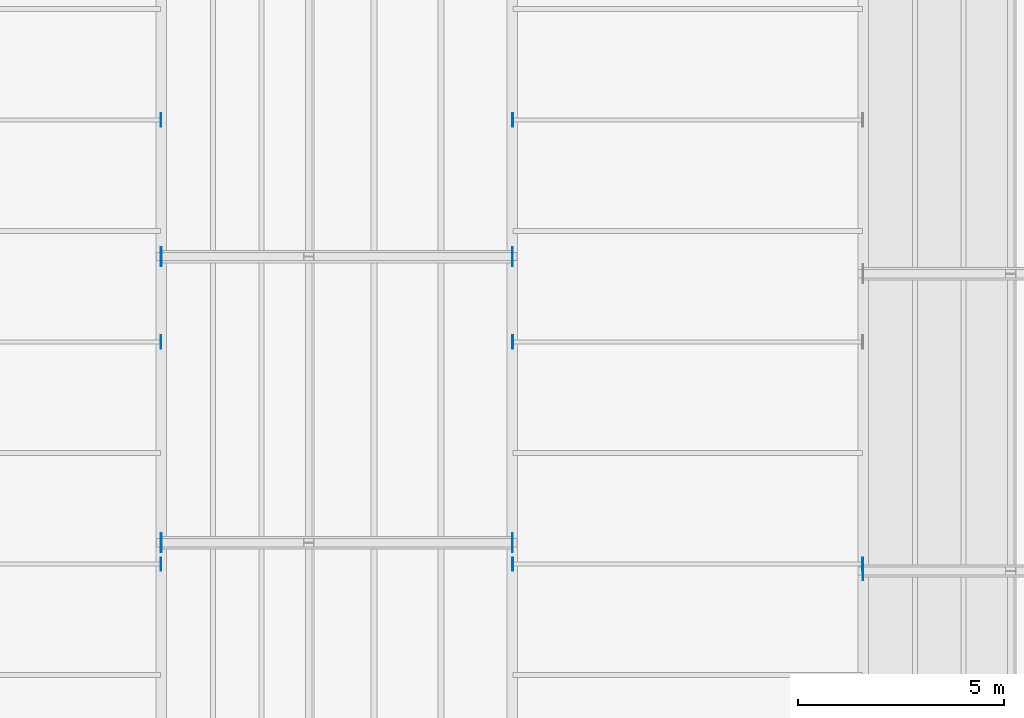
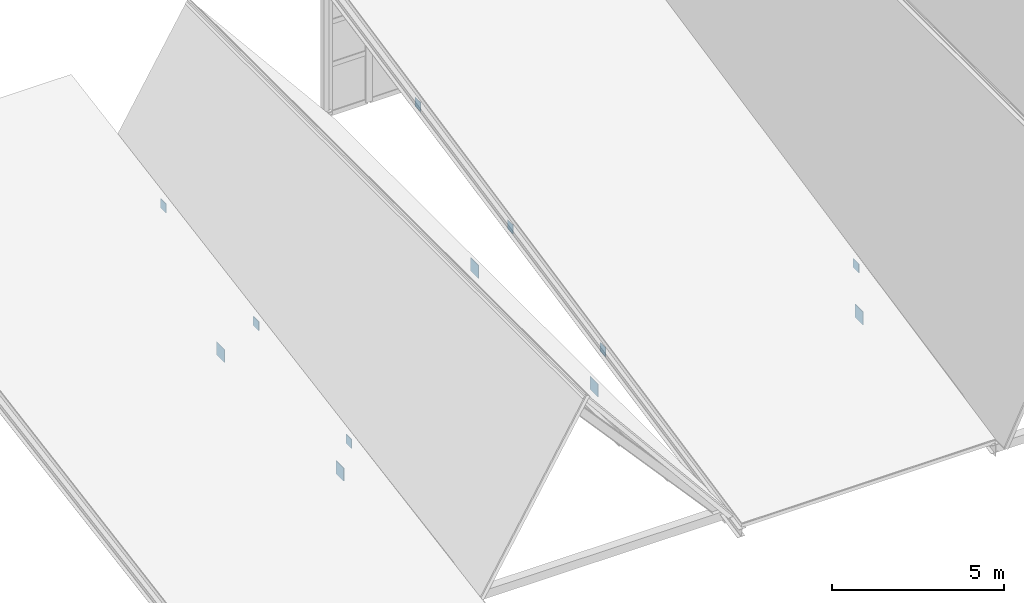
# One storey, part 63 of 77: 12 plates.
"""IFC4 building model written with IfcOpenShell, lengths in metres."""

from ifc_helpers import new_model, si_unit, direction, frame, origin, origin_2d, place, context, subcontext, project, spatial, rectangle, extrude, material, material_profile, profile_set, type_object, element, save


model = new_model("IFC4")

# Units and contexts
model_context = context("Model", 3, precision=1e-05, world=origin(), true_north=direction((0.0, 1.0)))
body_context = subcontext(model_context, "Body", "Model", "MODEL_VIEW")
ifc_project = project(units=[si_unit("LENGTHUNIT", "METRE"), si_unit("AREAUNIT", "SQUARE_METRE"), si_unit("VOLUMEUNIT", "CUBIC_METRE"), si_unit("PLANEANGLEUNIT", "RADIAN"), si_unit("MASSUNIT", "GRAM", prefix="KILO"), si_unit("THERMODYNAMICTEMPERATUREUNIT", "KELVIN"), si_unit("POWERUNIT", "WATT")], contexts=[model_context])

# Site, building, storey
site_placement = place(None, origin())
site = spatial("IfcSite", under=ifc_project, at=site_placement, CompositionType="ELEMENT")
building_placement = place(site_placement, origin())
building = spatial("IfcBuilding", under=site, at=building_placement, Name="Zhenchuan Central Fire Station", CompositionType="ELEMENT")
storey_placement = place(building_placement, frame((0.0, 0.0, 10.050048828125)))
storey = spatial("IfcBuildingStorey", under=building, at=storey_placement, Name="L03", CompositionType="ELEMENT", Elevation=10.050048828125)

# Plates
ifc_material = material(Name="Steel Q355B", Category="steel")
ifc_material_profile_1 = material_profile(ifc_material, rectangle(XDim=0.320068359375, YDim=0.320068359375, at=origin_2d()), Name="PL 320x320x20")
ifc_profile_set_1 = profile_set([ifc_material_profile_1], Name="Steel Q355B")
plate_type_1 = type_object("IfcPlateType", Name="PL-CAP20", PredefinedType="SHEET", material=ifc_profile_set_1)
for number, where, z_axis, x_axis, name in (
    (1, (64.48095703125, 19.36669921875, 1.03173828125), (1.0, 0.0, 0.0), (0.0, 1.0, 0.0), "Pavilion H01 Roof Purlin 3 end cap plate B"),
    (2, (64.48095703125, 24.744384765625, 1.939453125), (1.0, 0.0, 0.0), (0.0, 1.0, 0.0), "Pavilion H01 Roof Purlin 5 end cap plate B"),
    (3, (64.48095703125, 30.122314453125, 2.847412109375), (1.0, 0.0, 0.0), (0.0, 1.0, 0.0), "Pavilion H01 Roof Purlin 7 end cap plate B"),
    (4, (72.9990234375, 19.36669921875, 1.296630859375), (1.0, 0.0, 0.0), (0.0, 1.0, 0.0), "Pavilion H03 Roof Purlin 3 end cap plate A"),
    (5, (81.48095703125, 19.36669921875, 1.296630859375), (1.0, 0.0, 0.0), (0.0, 1.0, 0.0), "Pavilion H03 Roof Purlin 3 end cap plate B"),
    (6, (72.9990234375, 24.744384765625, 2.381103515625), (1.0, 0.0, 0.0), (0.0, 1.0, 0.0), "Pavilion H03 Roof Purlin 5 end cap plate A"),
    (7, (72.9990234375, 30.122314453125, 3.465576171875), (1.0, 0.0, 0.0), (0.0, 1.0, 0.0), "Pavilion H03 Roof Purlin 7 end cap plate A"),
):
    element("IfcPlate", number, at=place(storey_placement, frame(where, z_axis=z_axis, x_axis=x_axis)), inside=storey, type_object=plate_type_1, Name=name, PredefinedType="SHEET", context=body_context, shape_type="SweptSolid", body=[
        extrude(rectangle(XDim=0.320068359375, YDim=0.320068359375, at=origin_2d()), origin(), (0.0, 0.0, 1.0), 0.02001953125),
    ])
ifc_material_profile_2 = material_profile(ifc_material, rectangle(XDim=0.4599609375, YDim=0.4599609375, at=origin_2d()), Name="PL 460x460x28")
ifc_profile_set_2 = profile_set([ifc_material_profile_2], Name="Steel Q355B")
plate_type_2 = type_object("IfcPlateType", Name="PL-GUS28-INT", PredefinedType="SHEET", material=ifc_profile_set_2)
for number, where, z_axis, x_axis, name in (
    (8, (64.48388671875, 19.885009765625, -0.330078125), (1.0, 0.0, 0.0), (0.0, 1.0, 0.0), "Pavilion H02 Gable Bottom Chord 2 end cap plate A"),
    (9, (72.99609375, 19.885009765625, -0.330078125), (1.0, 0.0, 0.0), (0.0, 1.0, 0.0), "Pavilion H02 Gable Bottom Chord 2 end cap plate B"),
    (10, (64.48388671875, 26.81494140625, -0.330078125), (1.0, 0.0, 0.0), (0.0, 1.0, 0.0), "Pavilion H02 Gable Bottom Chord 3 end cap plate A"),
    (11, (72.99609375, 26.81494140625, -0.330078125), (1.0, 0.0, 0.0), (0.0, 1.0, 0.0), "Pavilion H02 Gable Bottom Chord 3 end cap plate B"),
    (12, (81.48388671875, 19.199951171875, -0.330078125), (1.0, 0.0, 0.0), (0.0, 1.0, 0.0), "Pavilion H04 Gable Bottom Chord 2 end cap plate A"),
):
    element("IfcPlate", number, at=place(storey_placement, frame(where, z_axis=z_axis, x_axis=x_axis)), inside=storey, type_object=plate_type_2, Name=name, PredefinedType="SHEET", context=body_context, shape_type="SweptSolid", body=[
        extrude(rectangle(XDim=0.4599609375, YDim=0.4599609375, at=origin_2d()), origin(), (0.0, 0.0, 1.0), 0.02001953125),
    ])

save(model, "model.ifc")
